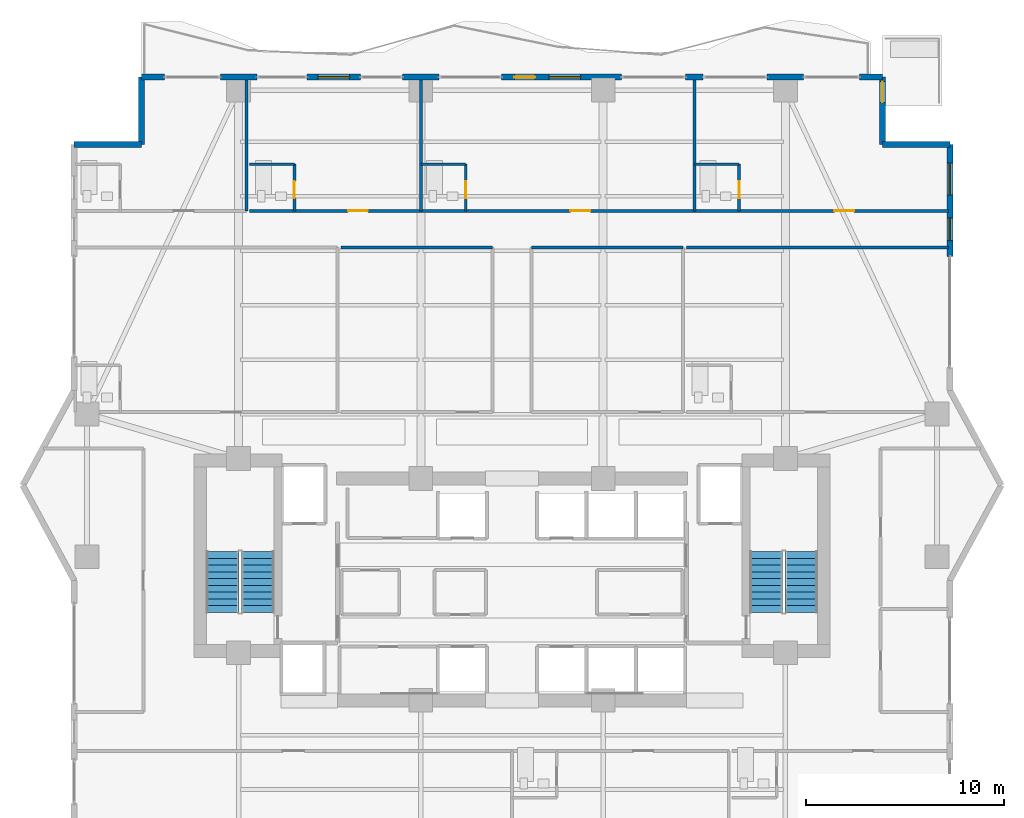
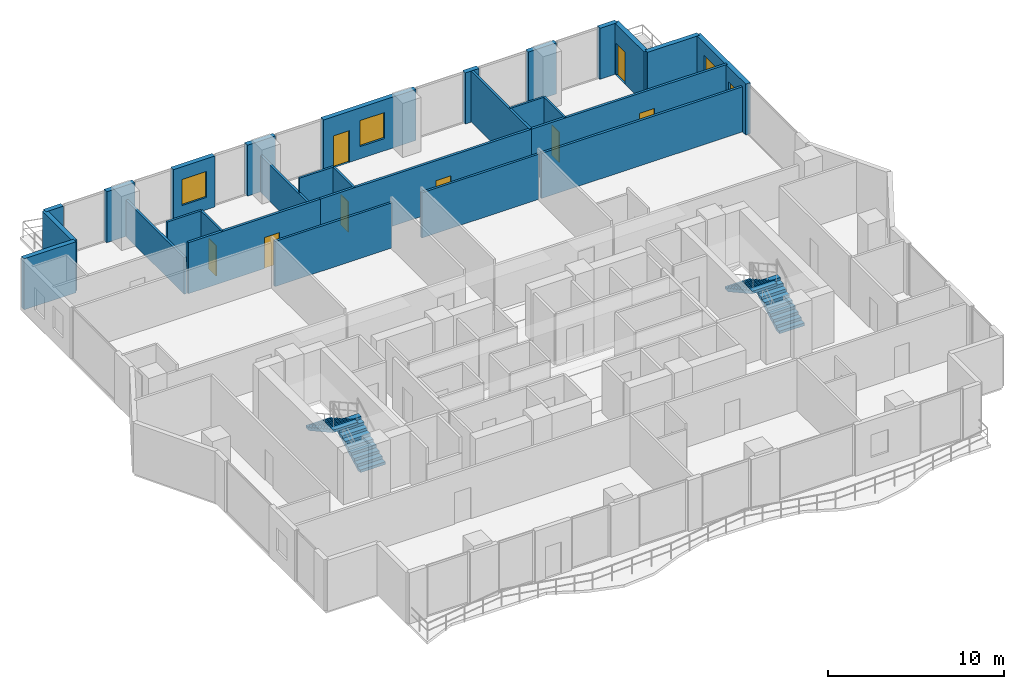
# One storey, part 28 of 33: 28 walls, 8 doors, 4 stair flights, 4 windows, 12 openings, 2 elements without a shape of their own.
"""IFC4 building model written with IfcOpenShell, lengths in metres."""

from ifc_helpers import new_model, si_unit, direction, frame, frame_2d, origin, place, context, subcontext, project, spatial, polyline, rectangle, outline, extrude, material, layer, layer_set, type_object, element, fill, aggregate, save


model = new_model("IFC4")

# Units and contexts
model_context = context("Model", 3, precision=1e-05, world=origin(), true_north=direction((0.0, 1.0)))
body_context = subcontext(model_context, "Body", "Model", "MODEL_VIEW")
ifc_project = project(units=[si_unit("LENGTHUNIT", "METRE"), si_unit("AREAUNIT", "SQUARE_METRE"), si_unit("VOLUMEUNIT", "CUBIC_METRE"), si_unit("PLANEANGLEUNIT", "RADIAN"), si_unit("MASSUNIT", "GRAM", prefix="KILO")], contexts=[model_context])

# Site, building, storey
site_placement = place(None, origin())
site = spatial("IfcSite", under=ifc_project, at=site_placement, CompositionType="ELEMENT")
building_placement = place(site_placement, origin())
building = spatial("IfcBuilding", under=site, at=building_placement, Name="Zuhayl Quay Hotel", CompositionType="ELEMENT")
storey_placement = place(building_placement, frame((0.0, 0.0, 211.14990234375)))
storey = spatial("IfcBuildingStorey", under=building, at=storey_placement, Name="L53", CompositionType="ELEMENT", Elevation=211.14990234375)

# Walls
ifc_material_1 = material(Name="Precast concrete C45/55", Category="concrete")
ifc_layer_1 = layer(ifc_material_1, 0.300048828125, Name="Precast concrete C45/55", Category="concrete")
ifc_layer_set_1 = layer_set([ifc_layer_1], Name="Precast concrete C45/55")
wall_type_1 = type_object("IfcWallType", Name="WL_EXT_300", PredefinedType="STANDARD", material=ifc_layer_set_1)
for number, where, z_axis, x_axis, name in (
    (1, (-22.10009765625, 30.199951171875, 0.0), (0.0, 0.0, 1.0), (1.0, 0.0, 0.0), "L53 Exterior Precast Wall ENV_L53_EW06"),
    (2, (-18.699951171875, 30.199951171875, 0.0), (0.0, 0.0, 1.0), (0.0, 1.0, 0.0), "L53 Exterior Precast Wall ENV_L53_EW07"),
):
    element("IfcWall", number, at=place(storey_placement, frame(where, z_axis=z_axis, x_axis=x_axis)), inside=storey, type_object=wall_type_1, Name=name, PredefinedType="STANDARD", context=body_context, shape_type="SweptSolid", body=[
        extrude(rectangle(XDim=3.400146484375, YDim=0.300048828125, at=frame_2d((1.7001953125, 0.0))), origin(), (0.0, 0.0, 1.0), 3.530029296875),
    ])
wall_1_placement = place(storey_placement, frame((-18.699951171875, 33.60009765625, 0.0), z_axis=(0.0, 0.0, 1.0), x_axis=(1.0, 0.0, 0.0)))
element("IfcWall", 3, at=wall_1_placement, inside=storey, type_object=wall_type_1, Name="L53 Exterior Precast Wall ENV_L53_N_EW1", PredefinedType="STANDARD", context=body_context, shape_type="SweptSolid", body=[
    extrude(rectangle(XDim=1.14990234375, YDim=0.300048828125, at=frame_2d((0.574951171875, 0.0))), origin(), (0.0, 0.0, 1.0), 3.530029296875),
])
wall_2_placement = place(storey_placement, frame((-14.719970703125, 33.60009765625, 0.0), z_axis=(0.0, 0.0, 1.0), x_axis=(1.0, 0.0, 0.0)))
element("IfcWall", 4, at=wall_2_placement, inside=storey, type_object=wall_type_1, Name="L53 Exterior Precast Wall ENV_L53_N_EW2", PredefinedType="STANDARD", context=body_context, shape_type="SweptSolid", body=[
    extrude(rectangle(XDim=1.840087890625, YDim=0.300048828125, at=frame_2d((0.919921875, 0.0))), origin(), (0.0, 0.0, 1.0), 3.530029296875),
])

# Wall, opening, window
wall_3_placement = place(storey_placement, frame((-10.35009765625, 33.60009765625, 0.0), z_axis=(0.0, 0.0, 1.0), x_axis=(1.0, 0.0, 0.0)))
wall_3 = element("IfcWall", 5, at=wall_3_placement, inside=storey, type_object=wall_type_1, Name="L53 Exterior Precast Wall ENV_L53_N_EW3", PredefinedType="STANDARD", context=body_context, shape_type="SweptSolid", body=[
    extrude(rectangle(XDim=2.7001953125, YDim=0.300048828125, at=frame_2d((1.35009765625, 0.0))), origin(), (0.0, 0.0, 1.0), 3.530029296875),
])
opening_1_placement = place(wall_3_placement, frame((0.550048828125, 0.0, 0.85009765625)))
opening_1 = element("IfcOpeningElement", 6, at=opening_1_placement, cuts=wall_3, Name="Opening W01", PredefinedType="OPENING", context=body_context, shape_type="SweptSolid", body=[
    extrude(rectangle(XDim=1.60009765625, YDim=1.800048828125, at=frame_2d((0.800048828125, 0.89990234375))), frame((0.0, 0.159912109375, 0.0), z_axis=(0.0, -1.0, 0.0), x_axis=(1.0, 0.0, 0.0)), (0.0, 0.0, 1.0), 0.320068359375),
])
ifc_material_2 = material(Name="Dark Ceramic-Fritted Solar Glass", Category="glass")
window_type_1 = type_object("IfcWindowType", Name="WN_OPERABLE_1600", PartitioningType="DOUBLE_PANEL_VERTICAL", PredefinedType="WINDOW", material=ifc_material_2)
window_1_placement = place(opening_1_placement, origin())
window_1 = element("IfcWindow", 7, at=window_1_placement, inside=storey, type_object=window_type_1, Name="L53 North Operable Casement Window", OverallHeight=1.800048828125, OverallWidth=1.60009765625, PartitioningType="SINGLE_PANEL", PredefinedType="WINDOW", context=body_context, shape_type="SweptSolid", body=[
    extrude(rectangle(XDim=1.60009765625, YDim=1.800048828125, at=frame_2d((0.800048828125, 0.89990234375))), frame((0.0, 0.030029296875, 0.0), z_axis=(0.0, -1.0, 0.0), x_axis=(1.0, 0.0, 0.0)), (0.0, 0.0, 1.0), 0.06005859375),
])
fill(opening_1, window_1)

# Wall
wall_4_placement = place(storey_placement, frame((-5.52001953125, 33.60009765625, 0.0), z_axis=(0.0, 0.0, 1.0), x_axis=(1.0, 0.0, 0.0)))
element("IfcWall", 8, at=wall_4_placement, inside=storey, type_object=wall_type_1, Name="L53 Exterior Precast Wall ENV_L53_N_EW4", PredefinedType="STANDARD", context=body_context, shape_type="SweptSolid", body=[
    extrude(rectangle(XDim=1.840087890625, YDim=0.300048828125, at=frame_2d((0.919921875, 0.0))), origin(), (0.0, 0.0, 1.0), 3.530029296875),
])

# Wall, openings, door, window
wall_5_placement = place(storey_placement, frame((-0.531005859375, 33.60009765625, 0.0), z_axis=(0.0, 0.0, 1.0), x_axis=(1.0, 0.0, 0.0)))
wall_5 = element("IfcWall", 9, at=wall_5_placement, inside=storey, type_object=wall_type_1, Name="L53 Exterior Precast Wall ENV_L53_N_EW5", PredefinedType="STANDARD", context=body_context, shape_type="SweptSolid", body=[
    extrude(rectangle(XDim=6.051025390625, YDim=0.300048828125, at=frame_2d((3.025390625, 0.0))), origin(), (0.0, 0.0, 1.0), 3.530029296875),
])
opening_2_placement = place(wall_5_placement, frame((0.64990234375, 0.0, 0.0)))
opening_2 = element("IfcOpeningElement", 10, at=opening_2_placement, cuts=wall_5, Name="Opening DG1", PredefinedType="OPENING", context=body_context, shape_type="SweptSolid", body=[
    extrude(rectangle(XDim=1.050048828125, YDim=2.199951171875, at=frame_2d((0.52490234375, 1.10009765625))), frame((0.0, 0.159912109375, 0.0), z_axis=(0.0, -1.0, 0.0), x_axis=(1.0, 0.0, 0.0)), (0.0, 0.0, 1.0), 0.320068359375),
])
opening_3_placement = place(wall_5_placement, frame((2.390380859375, 0.0, 0.85009765625)))
opening_3 = element("IfcOpeningElement", 11, at=opening_3_placement, cuts=wall_5, Name="Opening W01", PredefinedType="OPENING", context=body_context, shape_type="SweptSolid", body=[
    extrude(rectangle(XDim=1.60009765625, YDim=1.800048828125, at=frame_2d((0.800048828125, 0.89990234375))), frame((0.0, 0.159912109375, 0.0), z_axis=(0.0, -1.0, 0.0), x_axis=(1.0, 0.0, 0.0)), (0.0, 0.0, 1.0), 0.320068359375),
])
ifc_material_3 = material(Name="Anodised Aluminium and Dark Solar Glass", Category="aluminium")
door_type_1 = type_object("IfcDoorType", Name="DR_EXT_TERR_1050", OperationType="NOTDEFINED", PredefinedType="DOOR", material=ifc_material_3)
door_1_placement = place(opening_2_placement, origin())
door_1 = element("IfcDoor", 12, at=door_1_placement, inside=storey, type_object=door_type_1, Name="L53 North Rippling Balcony Door", OperationType="SINGLE_SWING_LEFT", OverallHeight=2.199951171875, OverallWidth=1.050048828125, PredefinedType="DOOR", context=body_context, shape_type="SweptSolid", body=[
    extrude(rectangle(XDim=1.050048828125, YDim=2.199951171875, at=frame_2d((0.52490234375, 1.10009765625))), frame((0.0, 0.02490234375, 0.0), z_axis=(0.0, -1.0, 0.0), x_axis=(1.0, 0.0, 0.0)), (0.0, 0.0, 1.0), 0.050048828125),
])
fill(opening_2, door_1)
window_2_placement = place(opening_3_placement, origin())
window_2 = element("IfcWindow", 13, at=window_2_placement, inside=storey, type_object=window_type_1, Name="L53 Operable Facade Window 5-1", OverallHeight=1.800048828125, OverallWidth=1.60009765625, PartitioningType="SINGLE_PANEL", PredefinedType="WINDOW", context=body_context, shape_type="SweptSolid", body=[
    extrude(rectangle(XDim=1.60009765625, YDim=1.800048828125, at=frame_2d((0.800048828125, 0.89990234375))), frame((0.0, 0.030029296875, 0.0), z_axis=(0.0, -1.0, 0.0), x_axis=(1.0, 0.0, 0.0)), (0.0, 0.0, 1.0), 0.06005859375),
])
fill(opening_3, window_2)

# Walls
wall_6_placement = place(storey_placement, frame((8.75, 33.60009765625, 0.0), z_axis=(0.0, 0.0, 1.0), x_axis=(1.0, 0.0, 0.0)))
element("IfcWall", 14, at=wall_6_placement, inside=storey, type_object=wall_type_1, Name="L53 Exterior Precast Wall ENV_L53_N_EW6", PredefinedType="STANDARD", context=body_context, shape_type="SweptSolid", body=[
    extrude(rectangle(XDim=0.89990234375, YDim=0.300048828125, at=frame_2d((0.449951171875, 0.0))), origin(), (0.0, 0.0, 1.0), 3.530029296875),
])
wall_7_placement = place(storey_placement, frame((12.8798828125, 33.60009765625, 0.0), z_axis=(0.0, 0.0, 1.0), x_axis=(1.0, 0.0, 0.0)))
element("IfcWall", 15, at=wall_7_placement, inside=storey, type_object=wall_type_1, Name="L53 Exterior Precast Wall ENV_L53_N_EW7", PredefinedType="STANDARD", context=body_context, shape_type="SweptSolid", body=[
    extrude(rectangle(XDim=1.840087890625, YDim=0.300048828125, at=frame_2d((0.919921875, 0.0))), origin(), (0.0, 0.0, 1.0), 3.530029296875),
])
wall_8_placement = place(storey_placement, frame((17.550048828125, 33.60009765625, 0.0), z_axis=(0.0, 0.0, 1.0), x_axis=(1.0, 0.0, 0.0)))
element("IfcWall", 16, at=wall_8_placement, inside=storey, type_object=wall_type_1, Name="L53 Exterior Precast Wall ENV_L53_N_EW8", PredefinedType="STANDARD", context=body_context, shape_type="SweptSolid", body=[
    extrude(rectangle(XDim=1.14990234375, YDim=0.300048828125, at=frame_2d((0.574951171875, 0.0))), origin(), (0.0, 0.0, 1.0), 3.530029296875),
])

# Wall, opening, door
wall_9_placement = place(storey_placement, frame((18.699951171875, 33.60009765625, 0.0), z_axis=(0.0, 0.0, 1.0), x_axis=(0.0, -1.0, 0.0)))
wall_9 = element("IfcWall", 17, at=wall_9_placement, inside=storey, type_object=wall_type_1, Name="L53 Exterior Precast Wall ENV_L53_SP_NE", PredefinedType="STANDARD", context=body_context, shape_type="SweptSolid", body=[
    extrude(rectangle(XDim=3.400146484375, YDim=0.300048828125, at=frame_2d((1.7001953125, 0.0))), origin(), (0.0, 0.0, 1.0), 3.530029296875),
])
opening_4_placement = place(wall_9_placement, frame((0.219970703125, 0.0, 0.0)))
opening_4 = element("IfcOpeningElement", 18, at=opening_4_placement, cuts=wall_9, Name="Opening DG1", PredefinedType="OPENING", context=body_context, shape_type="SweptSolid", body=[
    extrude(rectangle(XDim=1.050048828125, YDim=2.199951171875, at=frame_2d((0.52490234375, 1.10009765625))), frame((0.0, 0.159912109375, 0.0), z_axis=(0.0, -1.0, 0.0), x_axis=(1.0, 0.0, 0.0)), (0.0, 0.0, 1.0), 0.320068359375),
])
door_2_placement = place(opening_4_placement, origin())
door_2 = element("IfcDoor", 19, at=door_2_placement, inside=storey, type_object=door_type_1, Name="L53 Spiral Sky-Terrace NE Access Door", OperationType="SINGLE_SWING_LEFT", OverallHeight=2.199951171875, OverallWidth=1.050048828125, PredefinedType="DOOR", context=body_context, shape_type="SweptSolid", body=[
    extrude(rectangle(XDim=1.050048828125, YDim=2.199951171875, at=frame_2d((0.52490234375, 1.10009765625))), frame((0.0, 0.02490234375, 0.0), z_axis=(0.0, -1.0, 0.0), x_axis=(1.0, 0.0, 0.0)), (0.0, 0.0, 1.0), 0.050048828125),
])
fill(opening_4, door_2)

# Wall
wall_10_placement = place(storey_placement, frame((18.699951171875, 30.199951171875, 0.0), z_axis=(0.0, 0.0, 1.0), x_axis=(1.0, 0.0, 0.0)))
element("IfcWall", 20, at=wall_10_placement, inside=storey, type_object=wall_type_1, Name="L53 Exterior Precast Wall ENV_L53_EW10", PredefinedType="STANDARD", context=body_context, shape_type="SweptSolid", body=[
    extrude(rectangle(XDim=3.400146484375, YDim=0.300048828125, at=frame_2d((1.7001953125, 0.0))), origin(), (0.0, 0.0, 1.0), 3.530029296875),
])

# Wall, openings, windows
wall_11_placement = place(storey_placement, frame((22.10009765625, 30.199951171875, 0.0), z_axis=(0.0, 0.0, 1.0), x_axis=(0.0, -1.0, 0.0)))
wall_11 = element("IfcWall", 21, at=wall_11_placement, inside=storey, type_object=wall_type_1, Name="L53 Exterior Precast Wall ENV_L53_E11_EW1", PredefinedType="STANDARD", context=body_context, shape_type="SweptSolid", body=[
    extrude(rectangle(XDim=5.64990234375, YDim=0.300048828125, at=frame_2d((2.824951171875, 0.0))), origin(), (0.0, 0.0, 1.0), 3.530029296875),
])
opening_5_placement = place(wall_11_placement, frame((0.93505859375, 0.0, 0.85009765625)))
opening_5 = element("IfcOpeningElement", 22, at=opening_5_placement, cuts=wall_11, Name="Opening W01", PredefinedType="OPENING", context=body_context, shape_type="SweptSolid", body=[
    extrude(rectangle(XDim=1.60009765625, YDim=1.800048828125, at=frame_2d((0.800048828125, 0.89990234375))), frame((0.0, 0.159912109375, 0.0), z_axis=(0.0, -1.0, 0.0), x_axis=(1.0, 0.0, 0.0)), (0.0, 0.0, 1.0), 0.320068359375),
])
opening_6_placement = place(wall_11_placement, frame((3.699951171875, 0.0, 0.949951171875)))
opening_6 = element("IfcOpeningElement", 23, at=opening_6_placement, cuts=wall_11, Name="Opening W01N", PredefinedType="OPENING", context=body_context, shape_type="SweptSolid", body=[
    extrude(rectangle(XDim=1.14990234375, YDim=1.550048828125, at=frame_2d((0.574951171875, 0.77490234375))), frame((0.0, 0.159912109375, 0.0), z_axis=(0.0, -1.0, 0.0), x_axis=(1.0, 0.0, 0.0)), (0.0, 0.0, 1.0), 0.320068359375),
])
window_type_2 = type_object("IfcWindowType", Name="WN_NOTCH_1350", PartitioningType="SINGLE_PANEL", PredefinedType="WINDOW", material=ifc_material_2)
window_3_placement = place(opening_6_placement, origin())
window_3 = element("IfcWindow", 24, at=window_3_placement, inside=storey, type_object=window_type_2, Name="L53 Operable Facade Window 1-2", OverallHeight=1.550048828125, OverallWidth=1.14990234375, PartitioningType="SINGLE_PANEL", PredefinedType="WINDOW", context=body_context, shape_type="SweptSolid", body=[
    extrude(rectangle(XDim=1.14990234375, YDim=1.550048828125, at=frame_2d((0.574951171875, 0.77490234375))), frame((0.0, 0.030029296875, 0.0), z_axis=(0.0, -1.0, 0.0), x_axis=(1.0, 0.0, 0.0)), (0.0, 0.0, 1.0), 0.06005859375),
])
fill(opening_6, window_3)
window_4_placement = place(opening_5_placement, origin())
window_4 = element("IfcWindow", 25, at=window_4_placement, inside=storey, type_object=window_type_1, Name="L53 Operable Facade Window 1-1", OverallHeight=1.800048828125, OverallWidth=1.60009765625, PartitioningType="SINGLE_PANEL", PredefinedType="WINDOW", context=body_context, shape_type="SweptSolid", body=[
    extrude(rectangle(XDim=1.60009765625, YDim=1.800048828125, at=frame_2d((0.800048828125, 0.89990234375))), frame((0.0, 0.030029296875, 0.0), z_axis=(0.0, -1.0, 0.0), x_axis=(1.0, 0.0, 0.0)), (0.0, 0.0, 1.0), 0.06005859375),
])
fill(opening_5, window_4)

# Walls
ifc_material_4 = material(Name="Acoustic Gypsum Partition STC-58")
ifc_layer_2 = layer(ifc_material_4, 0.14990234375, Name="Acoustic Gypsum Partition STC-58")
ifc_layer_set_2 = layer_set([ifc_layer_2], Name="Acoustic Gypsum Partition STC-58")
wall_type_2 = type_object("IfcWallType", Name="WL_PART_150", PredefinedType="PARTITIONING", material=ifc_layer_set_2)
for number, where, z_axis, x_axis, name in (
    (26, (-13.39990234375, 26.85009765625, 0.0), (0.0, 0.0, 1.0), (0.0, 1.0, 0.0), "L53 Partition IW_L53_NU01A_E"),
    (27, (-4.60009765625, 26.85009765625, 0.0), (0.0, 0.0, 1.0), (0.0, 1.0, 0.0), "L53 Partition IW_L53_NU01B_E"),
):
    element("IfcWall", number, at=place(storey_placement, frame(where, z_axis=z_axis, x_axis=x_axis)), inside=storey, type_object=wall_type_2, Name=name, PredefinedType="PARTITIONING", context=body_context, shape_type="SweptSolid", body=[
        extrude(rectangle(XDim=6.669921875, YDim=0.14990234375, at=frame_2d((3.3349609375, 0.0))), origin(), (0.0, 0.0, 1.0), 2.51904296875),
    ])
wall_12_placement = place(storey_placement, frame((9.199951171875, 26.85009765625, 0.0), z_axis=(0.0, 0.0, 1.0), x_axis=(0.0, 1.0, 0.0)))
element("IfcWall", 28, at=wall_12_placement, inside=storey, type_object=wall_type_2, Name="L53 Partition IW_L53_NU02_E", PredefinedType="PARTITIONING", context=body_context, shape_type="SweptSolid", body=[
    extrude(rectangle(XDim=6.669921875, YDim=0.14990234375, at=frame_2d((3.3349609375, 0.0))), origin(), (0.0, 0.0, 1.0), 3.530029296875),
])
for number, where, z_axis, x_axis, name in (
    (29, (-8.639892578125, 25.0, 0.0), (0.0, 0.0, 1.0), (1.0, 0.0, 0.0), "L53 Partition IW_L53_Z3_MID_W_N"),
    (30, (0.97998046875, 25.0, 0.0), (0.0, 0.0, 1.0), (1.0, 0.0, 0.0), "L53 Partition IW_L53_Z3_MID_E_N"),
):
    element("IfcWall", number, at=place(storey_placement, frame(where, z_axis=z_axis, x_axis=x_axis)), inside=storey, type_object=wall_type_2, Name=name, PredefinedType="PARTITIONING", context=body_context, shape_type="SweptSolid", body=[
        extrude(rectangle(XDim=7.659912109375, YDim=0.14990234375, at=frame_2d((3.830078125, 0.0))), origin(), (0.0, 0.0, 1.0), 3.1240234375),
    ])

# Wall, opening, door
ifc_layer_3 = layer(ifc_material_4, 0.159912109375, Name="Acoustic Gypsum Partition STC-58")
ifc_layer_set_3 = layer_set([ifc_layer_3], Name="Acoustic Gypsum Partition STC-58")
wall_type_3 = type_object("IfcWallType", Name="WL_PART_CORR_160", PredefinedType="PARTITIONING", material=ifc_layer_set_3)
wall_13_placement = place(storey_placement, frame((-13.239990234375, 26.85009765625, 0.0), z_axis=(0.0, 0.0, 1.0), x_axis=(1.0, 0.0, 0.0)))
wall_13 = element("IfcWall", 31, at=wall_13_placement, inside=storey, type_object=wall_type_3, Name="L53 Partition IW_L53_NU01B_COR", PredefinedType="PARTITIONING", context=body_context, shape_type="SweptSolid", body=[
    extrude(rectangle(XDim=8.639892578125, YDim=0.159912109375, at=frame_2d((4.31982421875, 0.0))), origin(), (0.0, 0.0, 1.0), 3.530029296875),
])
opening_7_placement = place(wall_13_placement, frame((4.969970703125, 0.0, 0.0)))
opening_7 = element("IfcOpeningElement", 32, at=opening_7_placement, cuts=wall_13, Name="Opening D03L", PredefinedType="OPENING", context=body_context, shape_type="SweptSolid", body=[
    extrude(rectangle(XDim=1.0, YDim=2.14990234375, at=frame_2d((0.5, 1.074951171875))), frame((0.0, 0.08984375, 0.0), z_axis=(0.0, -1.0, 0.0), x_axis=(1.0, 0.0, 0.0)), (0.0, 0.0, 1.0), 0.179931640625),
])
ifc_material_5 = material(Name="Solid Walnut Acoustic Fire Door")
door_type_2 = type_object("IfcDoorType", Name="DR_SUITE_1000", OperationType="NOTDEFINED", PredefinedType="DOOR", material=ifc_material_5)
door_3_placement = place(opening_7_placement, origin())
door_3 = element("IfcDoor", 33, at=door_3_placement, inside=storey, type_object=door_type_2, Name="L53 Panoramic Gulf Suite L53-01B Entrance Door", OperationType="SINGLE_SWING_LEFT", OverallHeight=2.14990234375, OverallWidth=1.0, PredefinedType="DOOR", context=body_context, shape_type="SweptSolid", body=[
    extrude(rectangle(XDim=1.0, YDim=2.14990234375, at=frame_2d((0.5, 1.074951171875))), frame((0.0, 0.02490234375, 0.0), z_axis=(0.0, -1.0, 0.0), x_axis=(1.0, 0.0, 0.0)), (0.0, 0.0, 1.0), 0.050048828125),
])
fill(opening_7, door_3)

wall_14_placement = place(storey_placement, frame((-4.60009765625, 26.85009765625, 0.0), z_axis=(0.0, 0.0, 1.0), x_axis=(1.0, 0.0, 0.0)))
wall_14 = element("IfcWall", 34, at=wall_14_placement, inside=storey, type_object=wall_type_3, Name="L53 Partition IW_L53_NU02_COR", PredefinedType="PARTITIONING", context=body_context, shape_type="SweptSolid", body=[
    extrude(rectangle(XDim=13.800048828125, YDim=0.159912109375, at=frame_2d((6.89990234375, 0.0))), origin(), (0.0, 0.0, 1.0), 3.530029296875),
])
opening_8_placement = place(wall_14_placement, frame((7.550048828125, 0.0, 0.0)))
opening_8 = element("IfcOpeningElement", 35, at=opening_8_placement, cuts=wall_14, Name="Opening D03L", PredefinedType="OPENING", context=body_context, shape_type="SweptSolid", body=[
    extrude(rectangle(XDim=1.0, YDim=2.14990234375, at=frame_2d((0.5, 1.074951171875))), frame((0.0, 0.08984375, 0.0), z_axis=(0.0, -1.0, 0.0), x_axis=(1.0, 0.0, 0.0)), (0.0, 0.0, 1.0), 0.179931640625),
])
door_4_placement = place(opening_8_placement, origin())
door_4 = element("IfcDoor", 36, at=door_4_placement, inside=storey, type_object=door_type_2, Name="L53 Panoramic Gulf Suite L53-02 Entrance Door", OperationType="SINGLE_SWING_LEFT", OverallHeight=2.14990234375, OverallWidth=1.0, PredefinedType="DOOR", context=body_context, shape_type="SweptSolid", body=[
    extrude(rectangle(XDim=1.0, YDim=2.14990234375, at=frame_2d((0.5, 1.074951171875))), frame((0.0, 0.02490234375, 0.0), z_axis=(0.0, -1.0, 0.0), x_axis=(1.0, 0.0, 0.0)), (0.0, 0.0, 1.0), 0.050048828125),
])
fill(opening_8, door_4)

wall_15_placement = place(storey_placement, frame((9.199951171875, 26.85009765625, 0.0), z_axis=(0.0, 0.0, 1.0), x_axis=(1.0, 0.0, 0.0)))
wall_15 = element("IfcWall", 37, at=wall_15_placement, inside=storey, type_object=wall_type_3, Name="L53 Partition IW_L53_NU03_COR", PredefinedType="PARTITIONING", context=body_context, shape_type="SweptSolid", body=[
    extrude(rectangle(XDim=12.840087890625, YDim=0.159912109375, at=frame_2d((6.419921875, 0.0))), origin(), (0.0, 0.0, 1.0), 3.530029296875),
])
opening_9_placement = place(wall_15_placement, frame((7.070068359375, 0.0, 0.0)))
opening_9 = element("IfcOpeningElement", 38, at=opening_9_placement, cuts=wall_15, Name="Opening D03L", PredefinedType="OPENING", context=body_context, shape_type="SweptSolid", body=[
    extrude(rectangle(XDim=1.0, YDim=2.14990234375, at=frame_2d((0.5, 1.074951171875))), frame((0.0, 0.08984375, 0.0), z_axis=(0.0, -1.0, 0.0), x_axis=(1.0, 0.0, 0.0)), (0.0, 0.0, 1.0), 0.179931640625),
])
door_5_placement = place(opening_9_placement, origin())
door_5 = element("IfcDoor", 39, at=door_5_placement, inside=storey, type_object=door_type_2, Name="L53 Panoramic Gulf Suite L53-03 Entrance Door", OperationType="SINGLE_SWING_LEFT", OverallHeight=2.14990234375, OverallWidth=1.0, PredefinedType="DOOR", context=body_context, shape_type="SweptSolid", body=[
    extrude(rectangle(XDim=1.0, YDim=2.14990234375, at=frame_2d((0.5, 1.074951171875))), frame((0.0, 0.02490234375, 0.0), z_axis=(0.0, -1.0, 0.0), x_axis=(1.0, 0.0, 0.0)), (0.0, 0.0, 1.0), 0.050048828125),
])
fill(opening_9, door_5)

# Wall
wall_16_placement = place(storey_placement, frame((8.800048828125, 25.0, 0.0), z_axis=(0.0, 0.0, 1.0), x_axis=(1.0, 0.0, 0.0)))
element("IfcWall", 40, at=wall_16_placement, inside=storey, type_object=wall_type_3, Name="L53 Partition IW_L53_MU04_BK", PredefinedType="PARTITIONING", context=body_context, shape_type="SweptSolid", body=[
    extrude(rectangle(XDim=13.239990234375, YDim=0.159912109375, at=frame_2d((6.6201171875, 0.0))), origin(), (0.0, 0.0, 1.0), 3.1240234375),
])

# Wall, opening, door
ifc_material_6 = material(Name="Moisture-Resistant Sanitarychase Gypsum")
ifc_layer_4 = layer(ifc_material_6, 0.135009765625, Name="Moisture-Resistant Sanitarychase Gypsum")
ifc_layer_set_4 = layer_set([ifc_layer_4], Name="Moisture-Resistant Sanitarychase Gypsum")
wall_type_4 = type_object("IfcWallType", Name="WL_PART_PLUMB_150", PredefinedType="PLUMBINGWALL", material=ifc_layer_set_4)
wall_17_placement = place(storey_placement, frame((-10.97998046875, 26.85009765625, 0.0), z_axis=(0.0, 0.0, 1.0), x_axis=(0.0, 1.0, 0.0)))
wall_17 = element("IfcWall", 41, at=wall_17_placement, inside=storey, type_object=wall_type_4, Name="L53 Partition IW_L53_NU01B_BE", PredefinedType="PLUMBINGWALL", context=body_context, shape_type="SweptSolid", body=[
    extrude(rectangle(XDim=2.35986328125, YDim=0.135009765625, at=frame_2d((1.179931640625, 0.0))), origin(), (0.0, 0.0, 1.0), 3.530029296875),
])
opening_10_placement = place(wall_17_placement, frame((0.64990234375, 0.0, 0.0)))
opening_10 = element("IfcOpeningElement", 42, at=opening_10_placement, cuts=wall_17, Name="Opening D04", PredefinedType="OPENING", context=body_context, shape_type="SweptSolid", body=[
    extrude(rectangle(XDim=0.85009765625, YDim=2.10009765625, at=frame_2d((0.425048828125, 1.050048828125))), frame((0.0, 0.077392578125, 0.0), z_axis=(0.0, -1.0, 0.0), x_axis=(1.0, 0.0, 0.0)), (0.0, 0.0, 1.0), 0.155029296875),
])
ifc_material_7 = material(Name="Moisture-Resistant Walnut Veneer")
door_type_3 = type_object("IfcDoorType", Name="DR_BATH_850", OperationType="NOTDEFINED", PredefinedType="DOOR", material=ifc_material_7)
door_6_placement = place(opening_10_placement, origin())
door_6 = element("IfcDoor", 43, at=door_6_placement, inside=storey, type_object=door_type_3, Name="L53 Panoramic Gulf Suite L53-01B En-Suite Door", OperationType="SINGLE_SWING_RIGHT", OverallHeight=2.10009765625, OverallWidth=0.85009765625, PredefinedType="DOOR", context=body_context, shape_type="SweptSolid", body=[
    extrude(rectangle(XDim=0.85009765625, YDim=2.10009765625, at=frame_2d((0.425048828125, 1.050048828125))), frame((0.0, 0.02490234375, 0.0), z_axis=(0.0, -1.0, 0.0), x_axis=(1.0, 0.0, 0.0)), (0.0, 0.0, 1.0), 0.050048828125),
])
fill(opening_10, door_6)

wall_18_placement = place(storey_placement, frame((-2.340087890625, 26.85009765625, 0.0), z_axis=(0.0, 0.0, 1.0), x_axis=(0.0, 1.0, 0.0)))
wall_18 = element("IfcWall", 44, at=wall_18_placement, inside=storey, type_object=wall_type_4, Name="L53 Partition IW_L53_NU02_BE", PredefinedType="PLUMBINGWALL", context=body_context, shape_type="SweptSolid", body=[
    extrude(rectangle(XDim=2.35986328125, YDim=0.135009765625, at=frame_2d((1.179931640625, 0.0))), origin(), (0.0, 0.0, 1.0), 3.530029296875),
])
opening_11_placement = place(wall_18_placement, frame((0.64990234375, 0.0, 0.0)))
opening_11 = element("IfcOpeningElement", 45, at=opening_11_placement, cuts=wall_18, Name="Opening D04", PredefinedType="OPENING", context=body_context, shape_type="SweptSolid", body=[
    extrude(rectangle(XDim=0.85009765625, YDim=2.10009765625, at=frame_2d((0.425048828125, 1.050048828125))), frame((0.0, 0.077392578125, 0.0), z_axis=(0.0, -1.0, 0.0), x_axis=(1.0, 0.0, 0.0)), (0.0, 0.0, 1.0), 0.155029296875),
])
door_7_placement = place(opening_11_placement, origin())
door_7 = element("IfcDoor", 46, at=door_7_placement, inside=storey, type_object=door_type_3, Name="L53 Panoramic Gulf Suite L53-02 En-Suite Door", OperationType="SINGLE_SWING_RIGHT", OverallHeight=2.10009765625, OverallWidth=0.85009765625, PredefinedType="DOOR", context=body_context, shape_type="SweptSolid", body=[
    extrude(rectangle(XDim=0.85009765625, YDim=2.10009765625, at=frame_2d((0.425048828125, 1.050048828125))), frame((0.0, 0.02490234375, 0.0), z_axis=(0.0, -1.0, 0.0), x_axis=(1.0, 0.0, 0.0)), (0.0, 0.0, 1.0), 0.050048828125),
])
fill(opening_11, door_7)

wall_19_placement = place(storey_placement, frame((11.4599609375, 26.85009765625, 0.0), z_axis=(0.0, 0.0, 1.0), x_axis=(0.0, 1.0, 0.0)))
wall_19 = element("IfcWall", 47, at=wall_19_placement, inside=storey, type_object=wall_type_4, Name="L53 Partition IW_L53_NU03_BE", PredefinedType="PLUMBINGWALL", context=body_context, shape_type="SweptSolid", body=[
    extrude(rectangle(XDim=2.35986328125, YDim=0.135009765625, at=frame_2d((1.179931640625, 0.0))), origin(), (0.0, 0.0, 1.0), 3.530029296875),
])
opening_12_placement = place(wall_19_placement, frame((0.64990234375, 0.0, 0.0)))
opening_12 = element("IfcOpeningElement", 48, at=opening_12_placement, cuts=wall_19, Name="Opening D04", PredefinedType="OPENING", context=body_context, shape_type="SweptSolid", body=[
    extrude(rectangle(XDim=0.85009765625, YDim=2.10009765625, at=frame_2d((0.425048828125, 1.050048828125))), frame((0.0, 0.077392578125, 0.0), z_axis=(0.0, -1.0, 0.0), x_axis=(1.0, 0.0, 0.0)), (0.0, 0.0, 1.0), 0.155029296875),
])
door_8_placement = place(opening_12_placement, origin())
door_8 = element("IfcDoor", 49, at=door_8_placement, inside=storey, type_object=door_type_3, Name="L53 Panoramic Gulf Suite L53-03 En-Suite Door", OperationType="SINGLE_SWING_RIGHT", OverallHeight=2.10009765625, OverallWidth=0.85009765625, PredefinedType="DOOR", context=body_context, shape_type="SweptSolid", body=[
    extrude(rectangle(XDim=0.85009765625, YDim=2.10009765625, at=frame_2d((0.425048828125, 1.050048828125))), frame((0.0, 0.02490234375, 0.0), z_axis=(0.0, -1.0, 0.0), x_axis=(1.0, 0.0, 0.0)), (0.0, 0.0, 1.0), 0.050048828125),
])
fill(opening_12, door_8)

# Walls
for number, where, z_axis, x_axis, name in (
    (50, (-13.239990234375, 29.2099609375, 0.0), (0.0, 0.0, 1.0), (1.0, 0.0, 0.0), "L53 Partition IW_L53_NU01B_BN"),
    (51, (-4.60009765625, 29.2099609375, 0.0), (0.0, 0.0, 1.0), (1.0, 0.0, 0.0), "L53 Partition IW_L53_NU02_BN"),
    (52, (9.199951171875, 29.2099609375, 0.0), (0.0, 0.0, 1.0), (1.0, 0.0, 0.0), "L53 Partition IW_L53_NU03_BN"),
):
    element("IfcWall", number, at=place(storey_placement, frame(where, z_axis=z_axis, x_axis=x_axis)), inside=storey, type_object=wall_type_4, Name=name, PredefinedType="PLUMBINGWALL", context=body_context, shape_type="SweptSolid", body=[
        extrude(rectangle(XDim=2.260009765625, YDim=0.135009765625, at=frame_2d((1.1298828125, 0.0))), origin(), (0.0, 0.0, 1.0), 3.530029296875),
    ])

# Stair, stair flights
ifc_material_8 = material(Name="Concrete C45/55", Category="concrete")
stair_type = type_object("IfcStairType", Name="ST_DOGLEG_TOWER", PredefinedType="HALF_TURN_STAIR", material=ifc_material_8)
stair_1_placement = place(storey_placement, origin())
stair_1 = element("IfcStair", 53, at=stair_1_placement, inside=storey, type_object=stair_type, Name="L53 Smokeproof Exit Stair ST1", PredefinedType="HALF_TURN_STAIR")
ifc_layer_5 = layer(ifc_material_8, 0.159912109375, Name="Concrete C45/55", Category="concrete")
ifc_layer_set_5 = layer_set([ifc_layer_5], Name="Concrete C45/55")
stair_flight_type = type_object("IfcStairFlightType", Name="SF_CONC_164", PredefinedType="STRAIGHT", material=ifc_layer_set_5)
stair_flight_1_placement = place(storey_placement, frame((-12.820068359375, 6.590087890625, 0.0), z_axis=(0.0, 0.0, 1.0), x_axis=(0.0, 1.0, 0.0)))
stair_flight_1 = element("IfcStairFlight", 54, at=stair_flight_1_placement, type_object=stair_flight_type, Name="ST1 flight 1", NumberOfRisers=10, NumberOfTreads=9, PredefinedType="STRAIGHT", RiserHeight=0.1875, TreadLength=0.34, context=body_context, shape_type="SweptSolid", body=[
    extrude(outline(polyline([(0.0, 0.0), (0.0, 0.1875), (0.340087890625, 0.1875), (0.340087890625, 0.375), (0.679931640625, 0.375), (0.679931640625, 0.5625), (1.02001953125, 0.5625), (1.02001953125, 0.75), (1.360107421875, 0.75), (1.360107421875, 0.9375), (1.699951171875, 0.9375), (1.699951171875, 1.125), (2.0400390625, 1.125), (2.0400390625, 1.3125), (2.3798828125, 1.3125), (2.3798828125, 1.5), (2.719970703125, 1.5), (2.719970703125, 1.6875), (3.06005859375, 1.6875), (3.06005859375, 1.875), (3.06005859375, 1.516357421875), (0.310302734375, 0.0), (0.0, 0.0)])), frame((0.0, 0.81982421875, 0.0), z_axis=(0.0, -1.0, 0.0), x_axis=(1.0, 0.0, 0.0)), (0.0, 0.0, 1.0), 1.639892578125),
])
stair_flight_2_placement = place(storey_placement, frame((-14.610107421875, 9.64990234375, 1.875), z_axis=(0.0, 0.0, 1.0), x_axis=(0.0, -1.0, 0.0)))
stair_flight_2 = element("IfcStairFlight", 55, at=stair_flight_2_placement, type_object=stair_flight_type, Name="ST1 flight 2", NumberOfRisers=10, NumberOfTreads=9, PredefinedType="STRAIGHT", RiserHeight=0.1875, TreadLength=0.34, context=body_context, shape_type="SweptSolid", body=[
    extrude(outline(polyline([(0.0, 0.0), (0.0, 0.1875), (0.340087890625, 0.1875), (0.340087890625, 0.375), (0.679931640625, 0.375), (0.679931640625, 0.5625), (1.02001953125, 0.5625), (1.02001953125, 0.75), (1.360107421875, 0.75), (1.360107421875, 0.9375), (1.699951171875, 0.9375), (1.699951171875, 1.125), (2.0400390625, 1.125), (2.0400390625, 1.3125), (2.3798828125, 1.3125), (2.3798828125, 1.5), (2.719970703125, 1.5), (2.719970703125, 1.6875), (3.06005859375, 1.6875), (3.06005859375, 1.875), (3.06005859375, 1.516357421875), (0.310302734375, 0.0), (0.0, 0.0)])), frame((0.0, 0.81982421875, 0.0), z_axis=(0.0, -1.0, 0.0), x_axis=(1.0, 0.0, 0.0)), (0.0, 0.0, 1.0), 1.639892578125),
])
aggregate(stair_1, [stair_flight_1, stair_flight_2])

stair_2_placement = place(storey_placement, origin())
stair_2 = element("IfcStair", 56, at=stair_2_placement, inside=storey, type_object=stair_type, Name="L53 Smokeproof Exit Stair ST2", PredefinedType="HALF_TURN_STAIR")
stair_flight_3_placement = place(storey_placement, frame((14.610107421875, 6.590087890625, 0.0), z_axis=(0.0, 0.0, 1.0), x_axis=(0.0, 1.0, 0.0)))
stair_flight_3 = element("IfcStairFlight", 57, at=stair_flight_3_placement, type_object=stair_flight_type, Name="ST2 flight 1", NumberOfRisers=10, NumberOfTreads=9, PredefinedType="STRAIGHT", RiserHeight=0.1875, TreadLength=0.34, context=body_context, shape_type="SweptSolid", body=[
    extrude(outline(polyline([(0.0, 0.0), (0.0, 0.1875), (0.340087890625, 0.1875), (0.340087890625, 0.375), (0.679931640625, 0.375), (0.679931640625, 0.5625), (1.02001953125, 0.5625), (1.02001953125, 0.75), (1.360107421875, 0.75), (1.360107421875, 0.9375), (1.699951171875, 0.9375), (1.699951171875, 1.125), (2.0400390625, 1.125), (2.0400390625, 1.3125), (2.3798828125, 1.3125), (2.3798828125, 1.5), (2.719970703125, 1.5), (2.719970703125, 1.6875), (3.06005859375, 1.6875), (3.06005859375, 1.875), (3.06005859375, 1.516357421875), (0.310302734375, 0.0), (0.0, 0.0)])), frame((0.0, 0.81982421875, 0.0), z_axis=(0.0, -1.0, 0.0), x_axis=(1.0, 0.0, 0.0)), (0.0, 0.0, 1.0), 1.639892578125),
])
stair_flight_4_placement = place(storey_placement, frame((12.820068359375, 9.64990234375, 1.875), z_axis=(0.0, 0.0, 1.0), x_axis=(0.0, -1.0, 0.0)))
stair_flight_4 = element("IfcStairFlight", 58, at=stair_flight_4_placement, type_object=stair_flight_type, Name="ST2 flight 2", NumberOfRisers=10, NumberOfTreads=9, PredefinedType="STRAIGHT", RiserHeight=0.1875, TreadLength=0.34, context=body_context, shape_type="SweptSolid", body=[
    extrude(outline(polyline([(0.0, 0.0), (0.0, 0.1875), (0.340087890625, 0.1875), (0.340087890625, 0.375), (0.679931640625, 0.375), (0.679931640625, 0.5625), (1.02001953125, 0.5625), (1.02001953125, 0.75), (1.360107421875, 0.75), (1.360107421875, 0.9375), (1.699951171875, 0.9375), (1.699951171875, 1.125), (2.0400390625, 1.125), (2.0400390625, 1.3125), (2.3798828125, 1.3125), (2.3798828125, 1.5), (2.719970703125, 1.5), (2.719970703125, 1.6875), (3.06005859375, 1.6875), (3.06005859375, 1.875), (3.06005859375, 1.516357421875), (0.310302734375, 0.0), (0.0, 0.0)])), frame((0.0, 0.81982421875, 0.0), z_axis=(0.0, -1.0, 0.0), x_axis=(1.0, 0.0, 0.0)), (0.0, 0.0, 1.0), 1.639892578125),
])
aggregate(stair_2, [stair_flight_3, stair_flight_4])

save(model, "model.ifc")
